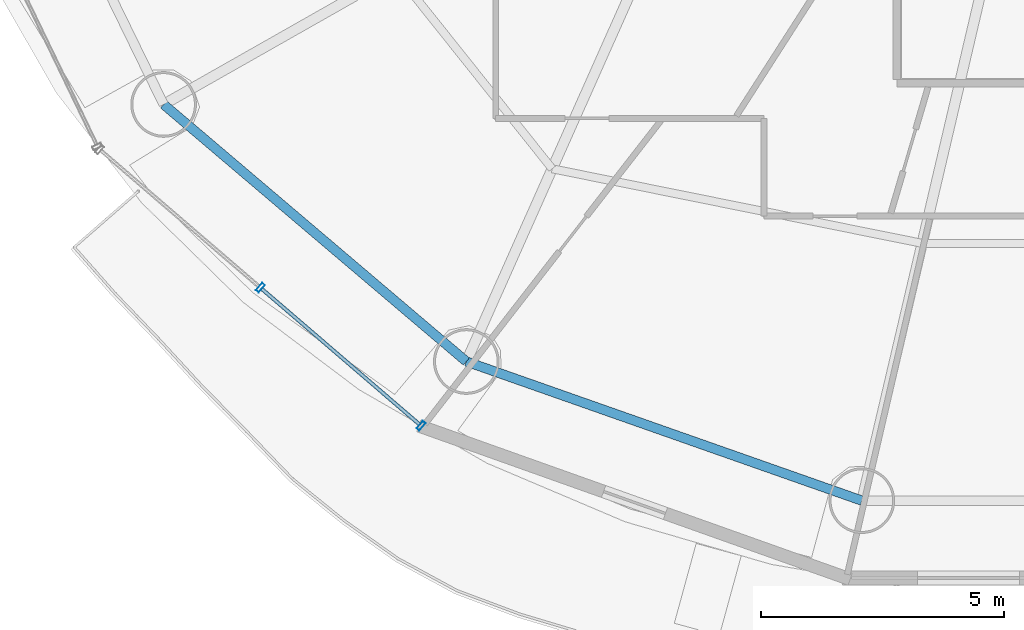
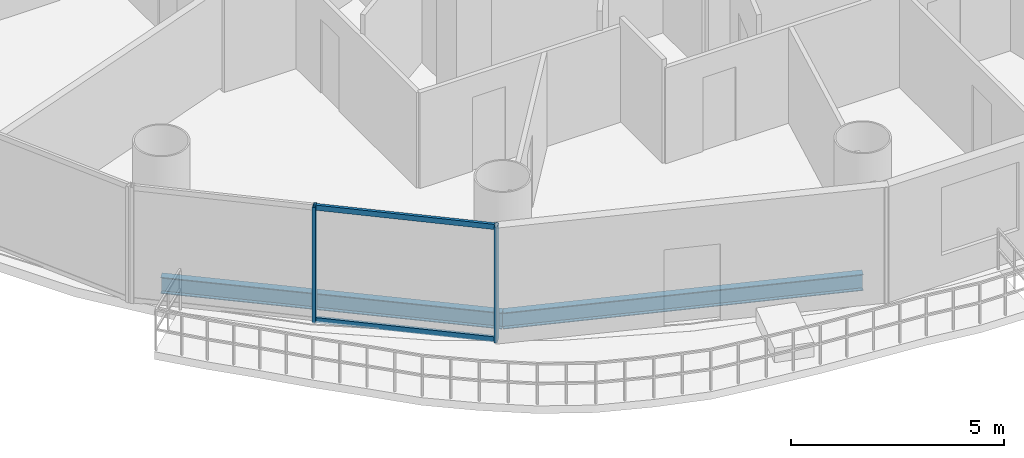
# One storey, part 2 of 27: 4 members, 2 beams, 1 element without a shape of its own.
"""IFC4 building model written with IfcOpenShell, lengths in metres."""

from ifc_helpers import new_model, si_unit, direction, frame, origin, origin_2d, place, context, subcontext, project, spatial, hollow_rectangle, i_section, extrude, source, transform, mapped, material, material_profile, profile_set, type_object, element, aggregate, save


model = new_model("IFC4")

# Units and contexts
model_context = context("Model", 3, precision=1e-05, world=origin(), true_north=direction((-0.2419218956, 0.970295726276)))
body_context = subcontext(model_context, "Body", "Model", "MODEL_VIEW")
ifc_project = project(units=[si_unit("LENGTHUNIT", "METRE"), si_unit("AREAUNIT", "SQUARE_METRE"), si_unit("VOLUMEUNIT", "CUBIC_METRE"), si_unit("PLANEANGLEUNIT", "RADIAN"), si_unit("MASSUNIT", "GRAM", prefix="KILO")], contexts=[model_context])

# Site, building, storey
site_placement = place(None, origin())
site = spatial("IfcSite", under=ifc_project, at=site_placement, CompositionType="ELEMENT")
building_placement = place(site_placement, origin())
building = spatial("IfcBuilding", under=site, at=building_placement, Name="Cobrevalo Terracotta Tower", CompositionType="ELEMENT")
storey_placement = place(building_placement, frame((0.0, 0.0, 149.800048828125)))
storey = spatial("IfcBuildingStorey", under=building, at=storey_placement, Name="L39", CompositionType="ELEMENT", Elevation=149.800048828125)

# Beams
ifc_material_1 = material(Name="Steel S355", Category="steel")
ifc_material_profile_1 = material_profile(ifc_material_1, i_section(OverallWidth=0.194091796875, OverallDepth=0.468994140625, WebThickness=0.011474609375, FlangeThickness=0.0205078125, at=origin_2d()), Name="W 460x106")
ifc_profile_set_1 = profile_set([ifc_material_profile_1], Name="Steel S355")
beam_type = type_object("IfcBeamType", Name="Structural Spandrel W 460x106 (Steel S355)", PredefinedType="SPANDREL", material=ifc_profile_set_1)
beam_1_placement = place(storey_placement, frame((19.250244140625, 16.160888671875, -0.504638671875), z_axis=(0.762240337798, -0.647294112003, 0.0), x_axis=(0.647294112003, 0.762240337798, 0.0)))
element("IfcBeam", 1, at=beam_1_placement, inside=storey, type_object=beam_type, Name="L39 perimeter ring spandrel 10", PredefinedType="SPANDREL", context=body_context, shape_type="SweptSolid", body=[
    extrude(i_section(OverallWidth=0.194091796875, OverallDepth=0.468994140625, WebThickness=0.011474609375, FlangeThickness=0.0205078125, at=origin_2d()), origin(), (0.0, 0.0, 1.0), 8.162353515625),
])
beam_2_placement = place(storey_placement, frame((25.471923828125, 10.87744140625, -0.504638671875), z_axis=(0.943341298492, -0.331824041565, 0.0), x_axis=(0.331824041565, 0.943341298492, 0.0)))
element("IfcBeam", 2, at=beam_2_placement, inside=storey, type_object=beam_type, Name="L39 perimeter ring spandrel 11", PredefinedType="SPANDREL", context=body_context, shape_type="SweptSolid", body=[
    extrude(i_section(OverallWidth=0.194091796875, OverallDepth=0.468994140625, WebThickness=0.011474609375, FlangeThickness=0.0205078125, at=origin_2d()), origin(), (0.0, 0.0, 1.0), 8.6171875),
])

# Curtain wall, members
ifc_material_2 = material(Name="Anodized aluminium", Category="aluminium")
curtain_wall_type = type_object("IfcCurtainWallType", Name="Mid-tower high-wind unitised curtain wall CW-U2", PredefinedType="NOTDEFINED", material=ifc_material_2)
curtain_wall_placement = place(storey_placement, origin())
curtain_wall = element("IfcCurtainWall", 3, at=curtain_wall_placement, inside=storey, type_object=curtain_wall_type, Name="L39 curtain wall CW-L39-S10", PredefinedType="NOTDEFINED")
ifc_material_profile_2 = material_profile(ifc_material_2, hollow_rectangle(XDim=0.074951171875, YDim=0.14990234375, WallThickness=0.00439453125, at=origin_2d()), Name="CWT 75x150")
ifc_profile_set_2 = profile_set([ifc_material_profile_2], Name="Anodized aluminium")
member_type_1 = type_object("IfcMemberType", Name="Tower unitised aluminium transom 75x150", PredefinedType="USERDEFINED", material=ifc_profile_set_2)
shared_shape_1 = source(origin(), body_context, "Body", "SweptSolid", [
    extrude(hollow_rectangle(XDim=0.074951171875, YDim=0.14990234375, WallThickness=0.00439453125, at=origin_2d()), origin(), (0.0, 0.0, 1.0), 4.276123046875),
])
member_1_placement = place(storey_placement, frame((21.26806640625, 12.36962890625, 0.050048828125), z_axis=(0.758417719247, -0.651768795764, 0.0), x_axis=(0.651768795764, 0.758417719247, 0.0)))
member_1 = element("IfcMember", 4, at=member_1_placement, type_object=member_type_1, Name="CW-L39-S10 transom B02-T1", ObjectType="TRANSOM", PredefinedType="USERDEFINED", context=body_context, shape_type="MappedRepresentation", body=[
    mapped(shared_shape_1, transform((0.0, 0.0, 0.0), scale=1.0)),
])
member_2_placement = place(storey_placement, frame((21.26806640625, 12.36962890625, 3.280029296875), z_axis=(0.758417719247, -0.651768795764, 0.0), x_axis=(0.651768795764, 0.758417719247, 0.0)))
member_2 = element("IfcMember", 5, at=member_2_placement, type_object=member_type_1, Name="CW-L39-S10 transom B02-T2", ObjectType="TRANSOM", PredefinedType="USERDEFINED", context=body_context, shape_type="MappedRepresentation", body=[
    mapped(shared_shape_1, transform((0.0, 0.0, 0.0), scale=1.0)),
])
ifc_material_profile_3 = material_profile(ifc_material_2, hollow_rectangle(XDim=0.074951171875, YDim=0.199951171875, WallThickness=0.0048828125, at=origin_2d()), Name="CWM 75x200")
ifc_profile_set_3 = profile_set([ifc_material_profile_3], Name="Anodized aluminium")
member_type_2 = type_object("IfcMemberType", Name="Lower/mid tower unitised mullion 75x200", PredefinedType="MULLION", material=ifc_profile_set_3)
shared_shape_2 = source(origin(), body_context, "Body", "SweptSolid", [
    extrude(hollow_rectangle(XDim=0.074951171875, YDim=0.199951171875, WallThickness=0.0048828125, at=origin_2d()), origin(), (0.0, 0.0, 1.0), 3.329833984375),
])
member_3_placement = place(storey_placement, frame((21.237548828125, 12.3955078125, 0.0), z_axis=(0.0, 0.0, 1.0), x_axis=(0.758441546142, -0.65174106905, 0.0)))
member_3 = element("IfcMember", 6, at=member_3_placement, type_object=member_type_2, Name="CW-L39-S10 vertical mullion 02", PredefinedType="MULLION", context=body_context, shape_type="MappedRepresentation", body=[
    mapped(shared_shape_2, transform((0.0, 0.0, 0.0), scale=1.0)),
])
member_4_placement = place(storey_placement, frame((24.54150390625, 9.556396484375, 0.0), z_axis=(0.0, 0.0, 1.0), x_axis=(0.758441546142, -0.65174106905, 0.0)))
member_4 = element("IfcMember", 7, at=member_4_placement, type_object=member_type_2, Name="CW-L39-S10 vertical mullion 03", PredefinedType="MULLION", context=body_context, shape_type="MappedRepresentation", body=[
    mapped(shared_shape_2, transform((0.0, 0.0, 0.0), scale=1.0)),
])
aggregate(curtain_wall, [member_3, member_4, member_1, member_2])

save(model, "model.ifc")
